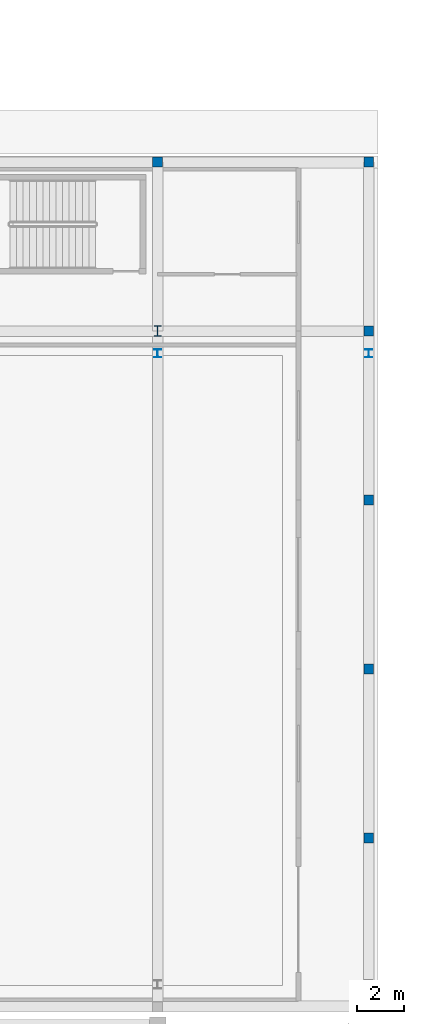
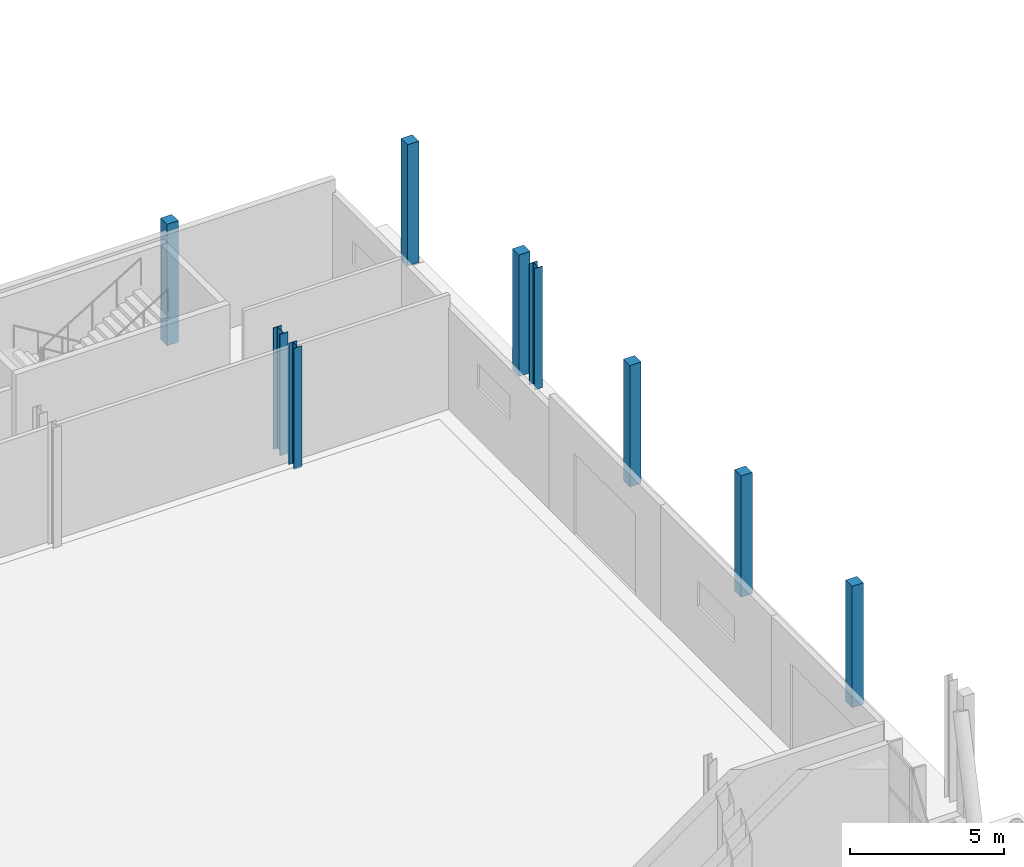
# One storey, part 10 of 151: 9 columns.
"""IFC4 building model written with IfcOpenShell, lengths in metres."""

from ifc_helpers import new_model, si_unit, direction, frame, origin, origin_2d, place, context, subcontext, project, spatial, rectangle, i_section, extrude, material, material_profile, profile_set, type_object, element, save


model = new_model("IFC4")

# Units and contexts
model_context = context("Model", 3, precision=1e-05, world=origin(), true_north=direction((0.0, 1.0)))
body_context = subcontext(model_context, "Body", "Model", "MODEL_VIEW")
ifc_project = project(units=[si_unit("LENGTHUNIT", "METRE"), si_unit("AREAUNIT", "SQUARE_METRE"), si_unit("VOLUMEUNIT", "CUBIC_METRE"), si_unit("PLANEANGLEUNIT", "RADIAN"), si_unit("MASSUNIT", "GRAM", prefix="KILO")], contexts=[model_context])

# Site, building, storey
site_placement = place(None, origin())
site = spatial("IfcSite", under=ifc_project, at=site_placement, CompositionType="ELEMENT")
building_placement = place(site_placement, origin())
building = spatial("IfcBuilding", under=site, at=building_placement, Name="Chiffa Square Polytechnic", CompositionType="ELEMENT")
storey_placement = place(building_placement, origin())
storey = spatial("IfcBuildingStorey", under=building, at=storey_placement, Name="L00", CompositionType="ELEMENT", Elevation=0.0)

# Columns
ifc_material_1 = material(Name="Glulam GL32c", Category="wood")
ifc_material_profile_1 = material_profile(ifc_material_1, rectangle(XDim=0.419921875, YDim=0.419921875, at=origin_2d()), Name="GL32c 420x420")
ifc_profile_set_1 = profile_set([ifc_material_profile_1], Name="Glulam GL32c")
column_type_1 = type_object("IfcColumnType", Name="COL-GL-420", PredefinedType="COLUMN", material=ifc_profile_set_1)
for number, where, z_axis, x_axis, name in (
    (1, (166.199951171875, 94.199951171875, 0.0), (0.0, 0.0, 1.0), (1.0, 0.0, 0.0), "Column C-V2-L00-1662-0942"),
    (2, (175.199951171875, 65.39990234375, 0.0), (0.0, 0.0, 1.0), (1.0, 0.0, 0.0), "Column C-V2-L00-1752-0654"),
    (3, (175.199951171875, 72.60009765625, 0.0), (0.0, 0.0, 1.0), (1.0, 0.0, 0.0), "Column C-V2-L00-1752-0726"),
    (4, (175.199951171875, 79.800048828125, 0.0), (0.0, 0.0, 1.0), (1.0, 0.0, 0.0), "Column C-V2-L00-1752-0798"),
    (5, (175.199951171875, 87.0, 0.0), (0.0, 0.0, 1.0), (1.0, 0.0, 0.0), "Column C-V2-L00-1752-0870"),
    (6, (175.199951171875, 94.199951171875, 0.0), (0.0, 0.0, 1.0), (1.0, 0.0, 0.0), "Column C-V2-L00-1752-0942"),
):
    element("IfcColumn", number, at=place(storey_placement, frame(where, z_axis=z_axis, x_axis=x_axis)), inside=storey, type_object=column_type_1, Name=name, PredefinedType="COLUMN", context=body_context, shape_type="SweptSolid", body=[
        extrude(rectangle(XDim=0.419921875, YDim=0.419921875, at=origin_2d()), origin(), (0.0, 0.0, 1.0), 4.800048828125),
    ])
ifc_material_2 = material(Name="Steel S355", Category="steel")
ifc_material_profile_2 = material_profile(ifc_material_2, i_section(OverallWidth=0.300048828125, OverallDepth=0.35009765625, WebThickness=0.010009765625, FlangeThickness=0.017578125, FilletRadius=0.027099609375, at=origin_2d()), Name="HEA 360")
ifc_profile_set_2 = profile_set([ifc_material_profile_2], Name="Steel S355")
column_type_2 = type_object("IfcColumnType", Name="COL-STL-HEA360", PredefinedType="COLUMN", material=ifc_profile_set_2)
for number, where, z_axis, x_axis, name in (
    (7, (166.199951171875, 86.050048828125, 0.0), (0.0, 0.0, 1.0), (1.0, 0.0, 0.0), "Crane stanchion column C-V2-CRN-L00-166-N"),
    (8, (175.199951171875, 86.050048828125, 0.0), (0.0, 0.0, 1.0), (1.0, 0.0, 0.0), "Crane stanchion column C-V2-CRN-L00-175-N"),
):
    element("IfcColumn", number, at=place(storey_placement, frame(where, z_axis=z_axis, x_axis=x_axis)), inside=storey, type_object=column_type_2, Name=name, PredefinedType="COLUMN", context=body_context, shape_type="SweptSolid", body=[
        extrude(i_section(OverallWidth=0.300048828125, OverallDepth=0.35009765625, WebThickness=0.010009765625, FlangeThickness=0.017578125, FilletRadius=0.027099609375, at=origin_2d()), origin(), (0.0, 0.0, 1.0), 4.800048828125),
    ])
ifc_material_profile_3 = material_profile(ifc_material_2, i_section(OverallWidth=0.300048828125, OverallDepth=0.449951171875, WebThickness=0.013916015625, FlangeThickness=0.02587890625, FilletRadius=0.027099609375, at=origin_2d()), Name="HEB 450")
ifc_profile_set_3 = profile_set([ifc_material_profile_3], Name="Steel S355")
column_type_3 = type_object("IfcColumnType", Name="COL-STL-HEB450", PredefinedType="COLUMN", material=ifc_profile_set_3)
column_placement = place(storey_placement, frame((166.199951171875, 87.0, 0.0), z_axis=(0.0, 0.0, 1.0), x_axis=(1.0, 0.0, 0.0)))
element("IfcColumn", 9, at=column_placement, inside=storey, type_object=column_type_3, Name="Column C-V2-L00-1662-0870", PredefinedType="COLUMN", context=body_context, shape_type="SweptSolid", body=[
    extrude(i_section(OverallWidth=0.300048828125, OverallDepth=0.449951171875, WebThickness=0.013916015625, FlangeThickness=0.02587890625, FilletRadius=0.027099609375, at=origin_2d()), origin(), (0.0, 0.0, 1.0), 4.800048828125),
])

save(model, "model.ifc")
